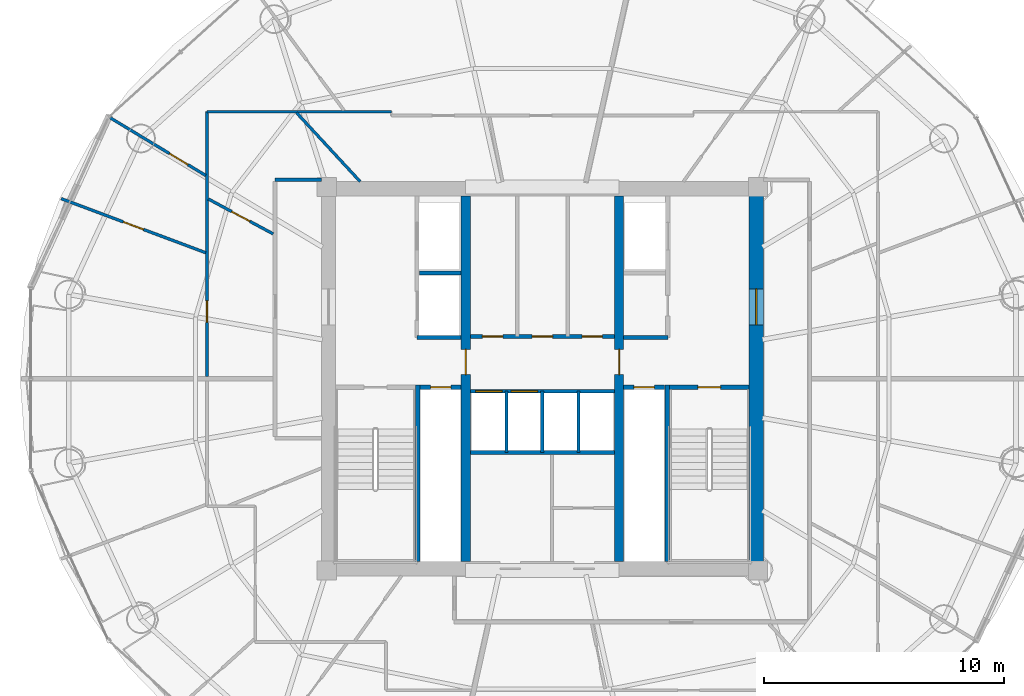
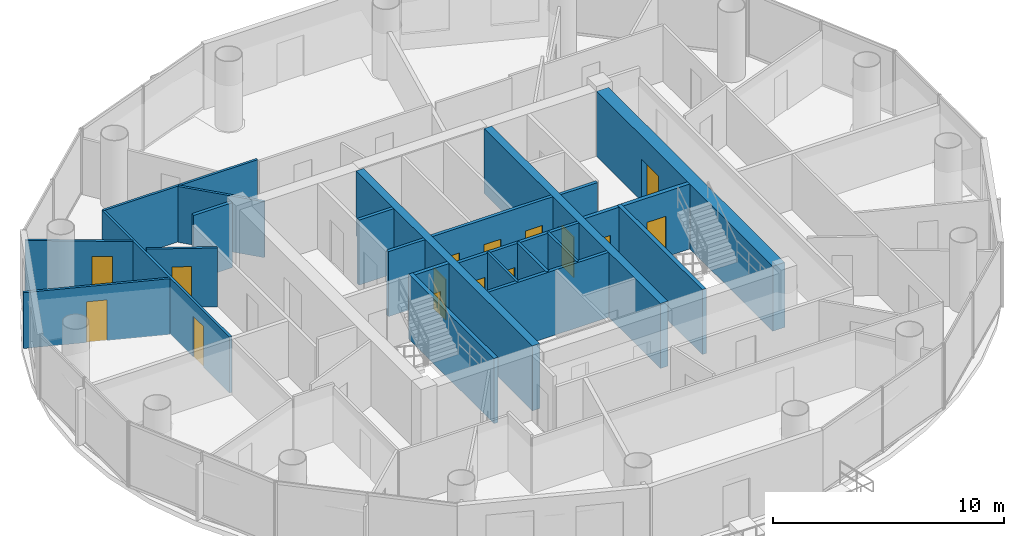
# One storey, part 21 of 26: 24 walls, 15 doors, 15 openings.
"""IFC4 building model written with IfcOpenShell, lengths in metres."""

from ifc_helpers import new_model, si_unit, direction, frame, frame_2d, origin, place, context, subcontext, project, spatial, rectangle, extrude, source, transform, mapped, material, layer, layer_set, type_object, element, fill, save


model = new_model("IFC4")

# Units and contexts
model_context = context("Model", 3, precision=1e-05, world=origin(), true_north=direction((-0.2419218956, 0.970295726276)))
body_context = subcontext(model_context, "Body", "Model", "MODEL_VIEW")
ifc_project = project(units=[si_unit("LENGTHUNIT", "METRE"), si_unit("AREAUNIT", "SQUARE_METRE"), si_unit("VOLUMEUNIT", "CUBIC_METRE"), si_unit("PLANEANGLEUNIT", "RADIAN"), si_unit("MASSUNIT", "GRAM", prefix="KILO")], contexts=[model_context])

# Site, building, storey
site_placement = place(None, origin())
site = spatial("IfcSite", under=ifc_project, at=site_placement, CompositionType="ELEMENT")
building_placement = place(site_placement, origin())
building = spatial("IfcBuilding", under=site, at=building_placement, Name="Cobrevalo Terracotta Tower", CompositionType="ELEMENT")
storey_placement = place(building_placement, frame((0.0, 0.0, 213.39990234375)))
storey = spatial("IfcBuildingStorey", under=building, at=storey_placement, Name="L56", CompositionType="ELEMENT", Elevation=213.39990234375)

# Wall, opening, door
ifc_material_1 = material(Name="Concrete C55", Category="concrete")
ifc_layer_1 = layer(ifc_material_1, 0.60009765625)
ifc_layer_set_1 = layer_set([ifc_layer_1], Name="Concrete C55")
wall_type_1 = type_object("IfcWallType", Name="Core shear wall 600 mm Concrete C55", PredefinedType="SHEAR", material=ifc_layer_set_1)
wall_1_placement = place(storey_placement, frame((46.925048828125, 19.175048828125, 0.0), z_axis=(0.0, 0.0, 1.0), x_axis=(0.0, 1.0, 0.0)))
wall_1 = element("IfcWall", 1, at=wall_1_placement, inside=storey, type_object=wall_type_1, Name="L56 east core shear wall", PredefinedType="SHEAR", context=body_context, shape_type="SweptSolid", body=[
    extrude(rectangle(XDim=15.25, YDim=0.60009765625, at=frame_2d((7.625, 0.0))), origin(), (0.0, 0.0, 1.0), 3.43505859375),
])
opening_1_placement = place(wall_1_placement, frame((9.875, 0.0, 0.0)))
opening_1 = element("IfcOpeningElement", 2, at=opening_1_placement, cuts=wall_1, Name="Opening ID-14", PredefinedType="OPENING", context=body_context, shape_type="SweptSolid", body=[
    extrude(rectangle(XDim=1.5, YDim=2.199951171875, at=frame_2d((0.75, 1.10009765625))), frame((0.0, 0.31005859375, 0.0), z_axis=(0.0, -1.0, 0.0), x_axis=(1.0, 0.0, 0.0)), (0.0, 0.0, 1.0), 0.6201171875),
])
ifc_material_2 = material(Name="Galvanized fire-rated steel", Category="steel")
door_type_1 = type_object("IfcDoorType", Name="Core cross-lobby double fire door 1500x2200 EI 90", OperationType="NOTDEFINED", PredefinedType="DOOR", material=ifc_material_2)
shared_shape_1 = source(origin(), body_context, "Body", "SweptSolid", [
    extrude(rectangle(XDim=1.5, YDim=2.199951171875, at=frame_2d((0.75, 1.10009765625))), frame((0.0, 0.02490234375, 0.0), z_axis=(0.0, -1.0, 0.0), x_axis=(1.0, 0.0, 0.0)), (0.0, 0.0, 1.0), 0.050048828125),
])
door_1_placement = place(opening_1_placement, frame((1.5, 0.0, 0.0), z_axis=(0.0, 0.0, 1.0), x_axis=(-1.0, 0.0, 0.0)))
door_1 = element("IfcDoor", 3, at=door_1_placement, inside=storey, type_object=door_type_1, Name="L56 east firefighting lobby entrance door", OperationType="DOUBLE_DOOR_SINGLE_SWING", OverallHeight=2.199951171875, OverallWidth=1.5, PredefinedType="DOOR", context=body_context, shape_type="MappedRepresentation", body=[
    mapped(shared_shape_1, transform((0.0, 0.0, 0.0), scale=1.0)),
])
fill(opening_1, door_1)

# Walls
ifc_material_3 = material(Name="Gypsum board on steel stud", Category="steel")
ifc_layer_2 = layer(ifc_material_3, 0.159912109375)
ifc_layer_set_2 = layer_set([ifc_layer_2], Name="Gypsum board on steel stud")
wall_type_2 = type_object("IfcWallType", Name="Fire-rated corridor acoustic partition wall 160 mm", PredefinedType="PARTITIONING", material=ifc_layer_set_2)
wall_2_placement = place(storey_placement, frame((32.860107421875, 31.219970703125, 0.0), z_axis=(0.0, 0.0, 1.0), x_axis=(1.0, 0.0, 0.0)))
element("IfcWall", 4, at=wall_2_placement, inside=storey, type_object=wall_type_2, Name="L56 interior partition IW-L56-FF1-M", PredefinedType="PARTITIONING", context=body_context, shape_type="SweptSolid", body=[
    extrude(rectangle(XDim=1.75, YDim=0.159912109375, at=frame_2d((0.875, 0.0))), origin(), (0.0, 0.0, 1.0), 3.43505859375),
])
for number, where, z_axis, x_axis, name in (
    (5, (32.77001953125, 28.52001953125, 0.0), (0.0, 0.0, 1.0), (1.0, 0.0, 0.0), "L56 interior partition IW-L56-FF1-S"),
    (6, (41.389892578125, 28.52001953125, 0.0), (0.0, 0.0, 1.0), (1.0, 0.0, 0.0), "L56 interior partition IW-L56-FF2-S"),
):
    element("IfcWall", number, at=place(storey_placement, frame(where, z_axis=z_axis, x_axis=x_axis)), inside=storey, type_object=wall_type_2, Name=name, PredefinedType="PARTITIONING", context=body_context, shape_type="SweptSolid", body=[
        extrude(rectangle(XDim=1.840087890625, YDim=0.159912109375, at=frame_2d((0.919921875, 0.0))), origin(), (0.0, 0.0, 1.0), 3.43505859375),
    ])

# Wall, openings, doors
wall_3_placement = place(storey_placement, frame((34.989990234375, 28.56005859375, 0.0), z_axis=(0.0, 0.0, 1.0), x_axis=(1.0, 0.0, 0.0)))
wall_3 = element("IfcWall", 7, at=wall_3_placement, inside=storey, type_object=wall_type_2, Name="L56 interior partition IW-L56-LB-S", PredefinedType="PARTITIONING", context=body_context, shape_type="SweptSolid", body=[
    extrude(rectangle(XDim=6.02001953125, YDim=0.159912109375, at=frame_2d((3.010009765625, 0.0))), origin(), (0.0, 0.0, 1.0), 3.43505859375),
])
opening_2_placement = place(wall_3_placement, frame((0.5048828125, 0.0, 0.0)))
opening_2 = element("IfcOpeningElement", 8, at=opening_2_placement, cuts=wall_3, Name="Opening ID-22", PredefinedType="OPENING", context=body_context, shape_type="SweptSolid", body=[
    extrude(rectangle(XDim=0.85009765625, YDim=2.10009765625, at=frame_2d((0.425048828125, 1.050048828125))), frame((0.0, 0.08984375, 0.0), z_axis=(0.0, -1.0, 0.0), x_axis=(1.0, 0.0, 0.0)), (0.0, 0.0, 1.0), 0.179931640625),
])
opening_3_placement = place(wall_3_placement, frame((2.580078125, 0.0, 0.0)))
opening_3 = element("IfcOpeningElement", 9, at=opening_3_placement, cuts=wall_3, Name="Opening ID-07", PredefinedType="OPENING", context=body_context, shape_type="SweptSolid", body=[
    extrude(rectangle(XDim=0.860107421875, YDim=2.10009765625, at=frame_2d((0.43017578125, 1.050048828125))), frame((0.0, 0.08984375, 0.0), z_axis=(0.0, -1.0, 0.0), x_axis=(1.0, 0.0, 0.0)), (0.0, 0.0, 1.0), 0.179931640625),
])
opening_4_placement = place(wall_3_placement, frame((4.6650390625, 0.0, 0.0)))
opening_4 = element("IfcOpeningElement", 10, at=opening_4_placement, cuts=wall_3, Name="Opening ID-22", PredefinedType="OPENING", context=body_context, shape_type="SweptSolid", body=[
    extrude(rectangle(XDim=0.85009765625, YDim=2.10009765625, at=frame_2d((0.425048828125, 1.050048828125))), frame((0.0, 0.08984375, 0.0), z_axis=(0.0, -1.0, 0.0), x_axis=(1.0, 0.0, 0.0)), (0.0, 0.0, 1.0), 0.179931640625),
])
ifc_material_4 = material(Name="Powder-coated steel", Category="steel")
door_type_2 = type_object("IfcDoorType", Name="Riser shaft & meter closet fire access door 850x2100 EI 60", OperationType="NOTDEFINED", PredefinedType="DOOR", material=ifc_material_4)
shared_shape_2 = source(origin(), body_context, "Body", "SweptSolid", [
    extrude(rectangle(XDim=0.85009765625, YDim=2.10009765625, at=frame_2d((0.425048828125, 1.050048828125))), frame((0.0, 0.02490234375, 0.0), z_axis=(0.0, -1.0, 0.0), x_axis=(1.0, 0.0, 0.0)), (0.0, 0.0, 1.0), 0.050048828125),
])
door_2_placement = place(opening_2_placement, origin())
door_2 = element("IfcDoor", 11, at=door_2_placement, inside=storey, type_object=door_type_2, Name="L56 core service door Housekeeping Linen Store", OperationType="SINGLE_SWING_LEFT", OverallHeight=2.10009765625, OverallWidth=0.85009765625, PredefinedType="DOOR", context=body_context, shape_type="MappedRepresentation", body=[
    mapped(shared_shape_2, transform((0.0, 0.0, 0.0), scale=1.0)),
])
fill(opening_2, door_2)
door_3_placement = place(opening_4_placement, origin())
door_3 = element("IfcDoor", 12, at=door_3_placement, inside=storey, type_object=door_type_2, Name="L56 core service door Floor BMS Mechanical Plant", OperationType="SINGLE_SWING_LEFT", OverallHeight=2.10009765625, OverallWidth=0.85009765625, PredefinedType="DOOR", context=body_context, shape_type="MappedRepresentation", body=[
    mapped(shared_shape_2, transform((0.0, 0.0, 0.0), scale=1.0)),
])
fill(opening_4, door_3)
ifc_material_5 = material(Name="Fire-rated moisture-sealed timber", Category="wood")
door_type_3 = type_object("IfcDoorType", Name="Core & podium fire-rated accessible WC door 860x2100 EI 60", OperationType="NOTDEFINED", PredefinedType="DOOR", material=ifc_material_5)
shared_shape_3 = source(origin(), body_context, "Body", "SweptSolid", [
    extrude(rectangle(XDim=0.860107421875, YDim=2.10009765625, at=frame_2d((0.43017578125, 1.050048828125))), frame((0.0, 0.02490234375, 0.0), z_axis=(0.0, -1.0, 0.0), x_axis=(1.0, 0.0, 0.0)), (0.0, 0.0, 1.0), 0.050048828125),
])
door_4_placement = place(opening_3_placement, origin())
door_4 = element("IfcDoor", 13, at=door_4_placement, inside=storey, type_object=door_type_3, Name="L56 core service door Floor Service Toilet WC", OperationType="SINGLE_SWING_RIGHT", OverallHeight=2.10009765625, OverallWidth=0.860107421875, PredefinedType="DOOR", context=body_context, shape_type="MappedRepresentation", body=[
    mapped(shared_shape_3, transform((0.0, 0.0, 0.0), scale=1.0)),
])
fill(opening_3, door_4)

wall_4_placement = place(storey_placement, frame((34.989990234375, 26.280029296875, 0.0), z_axis=(0.0, 0.0, 1.0), x_axis=(1.0, 0.0, 0.0)))
wall_4 = element("IfcWall", 14, at=wall_4_placement, inside=storey, type_object=wall_type_2, Name="L56 interior partition IW-L56-MB-N", PredefinedType="PARTITIONING", context=body_context, shape_type="SweptSolid", body=[
    extrude(rectangle(XDim=6.02001953125, YDim=0.159912109375, at=frame_2d((3.010009765625, 0.0))), origin(), (0.0, 0.0, 1.0), 3.43505859375),
])
opening_5_placement = place(wall_4_placement, frame((0.22509765625, 0.0, 0.0)))
opening_5 = element("IfcOpeningElement", 15, at=opening_5_placement, cuts=wall_4, Name="Opening LD-01", PredefinedType="OPENING", context=body_context, shape_type="SweptSolid", body=[
    extrude(rectangle(XDim=1.10009765625, YDim=2.199951171875, at=frame_2d((0.550048828125, 1.10009765625))), frame((0.0, 0.08984375, 0.0), z_axis=(0.0, -1.0, 0.0), x_axis=(1.0, 0.0, 0.0)), (0.0, 0.0, 1.0), 0.179931640625),
])
opening_6_placement = place(wall_4_placement, frame((1.705078125, 0.0, 0.0)))
opening_6 = element("IfcOpeningElement", 16, at=opening_6_placement, cuts=wall_4, Name="Opening LD-01", PredefinedType="OPENING", context=body_context, shape_type="SweptSolid", body=[
    extrude(rectangle(XDim=1.10009765625, YDim=2.199951171875, at=frame_2d((0.550048828125, 1.10009765625))), frame((0.0, 0.08984375, 0.0), z_axis=(0.0, -1.0, 0.0), x_axis=(1.0, 0.0, 0.0)), (0.0, 0.0, 1.0), 0.179931640625),
])
ifc_material_6 = material(Name="Brushed stainless steel", Category="steel")
door_type_4 = type_object("IfcDoorType", Name="Passenger lift landing bi-parting sliding door 1100x2200 EI 90", OperationType="DOUBLE_DOOR_SLIDING", PredefinedType="DOOR", material=ifc_material_6)
shared_shape_4 = source(origin(), body_context, "Body", "SweptSolid", [
    extrude(rectangle(XDim=1.10009765625, YDim=2.199951171875, at=frame_2d((0.550048828125, 1.10009765625))), frame((0.0, 0.02490234375, 0.0), z_axis=(0.0, -1.0, 0.0), x_axis=(1.0, 0.0, 0.0)), (0.0, 0.0, 1.0), 0.050048828125),
])
door_5_placement = place(opening_5_placement, origin())
door_5 = element("IfcDoor", 17, at=door_5_placement, inside=storey, type_object=door_type_4, Name="L56 lift landing door PL-M1", OperationType="DOUBLE_DOOR_SLIDING", OverallHeight=2.199951171875, OverallWidth=1.10009765625, PredefinedType="DOOR", context=body_context, shape_type="MappedRepresentation", body=[
    mapped(shared_shape_4, transform((0.0, 0.0, 0.0), scale=1.0)),
])
fill(opening_5, door_5)
door_6_placement = place(opening_6_placement, origin())
door_6 = element("IfcDoor", 18, at=door_6_placement, inside=storey, type_object=door_type_4, Name="L56 lift landing door PL-M2", OperationType="DOUBLE_DOOR_SLIDING", OverallHeight=2.199951171875, OverallWidth=1.10009765625, PredefinedType="DOOR", context=body_context, shape_type="MappedRepresentation", body=[
    mapped(shared_shape_4, transform((0.0, 0.0, 0.0), scale=1.0)),
])
fill(opening_6, door_6)

# Walls
wall_5_placement = place(storey_placement, frame((34.989990234375, 23.719970703125, 0.0), z_axis=(0.0, 0.0, 1.0), x_axis=(1.0, 0.0, 0.0)))
element("IfcWall", 19, at=wall_5_placement, inside=storey, type_object=wall_type_2, Name="L56 interior partition IW-L56-MB-S", PredefinedType="PARTITIONING", context=body_context, shape_type="SweptSolid", body=[
    extrude(rectangle(XDim=6.02001953125, YDim=0.159912109375, at=frame_2d((3.010009765625, 0.0))), origin(), (0.0, 0.0, 1.0), 3.43505859375),
])
wall_6_placement = place(storey_placement, frame((26.844970703125, 35.10498046875, 0.0), z_axis=(0.0, 0.0, 1.0), x_axis=(1.0, 0.0, 0.0)))
element("IfcWall", 20, at=wall_6_placement, inside=storey, type_object=wall_type_2, Name="L56 interior partition IW-L56-COR-WN-CAP", PredefinedType="PARTITIONING", context=body_context, shape_type="SweptSolid", body=[
    extrude(rectangle(XDim=1.929931640625, YDim=0.159912109375, at=frame_2d((0.96484375, 0.0))), origin(), (0.0, 0.0, 1.0), 3.43505859375),
])

# Wall, opening, door
ifc_layer_3 = layer(ifc_material_3, 0.179931640625)
ifc_layer_set_3 = layer_set([ifc_layer_3], Name="Gypsum board on steel stud")
wall_type_3 = type_object("IfcWallType", Name="Fire-rated shaft & lobby acoustic partition wall 180 mm", PredefinedType="PARTITIONING", material=ifc_layer_set_3)
wall_7_placement = place(storey_placement, frame((32.89990234375, 26.449951171875, 0.0), z_axis=(0.0, 0.0, 1.0), x_axis=(1.0, 0.0, 0.0)))
wall_7 = element("IfcWall", 21, at=wall_7_placement, inside=storey, type_object=wall_type_3, Name="L56 interior partition IW-L56-RSW-N", PredefinedType="PARTITIONING", context=body_context, shape_type="SweptSolid", body=[
    extrude(rectangle(XDim=1.710205078125, YDim=0.179931640625, at=frame_2d((0.85498046875, 0.0))), origin(), (0.0, 0.0, 1.0), 3.43505859375),
])
opening_7_placement = place(wall_7_placement, frame((0.429931640625, 0.0, 0.0)))
opening_7 = element("IfcOpeningElement", 22, at=opening_7_placement, cuts=wall_7, Name="Opening ID-22", PredefinedType="OPENING", context=body_context, shape_type="SweptSolid", body=[
    extrude(rectangle(XDim=0.85009765625, YDim=2.10009765625, at=frame_2d((0.425048828125, 1.050048828125))), frame((0.0, 0.10009765625, 0.0), z_axis=(0.0, -1.0, 0.0), x_axis=(1.0, 0.0, 0.0)), (0.0, 0.0, 1.0), 0.199951171875),
])
door_7_placement = place(opening_7_placement, origin())
door_7 = element("IfcDoor", 23, at=door_7_placement, inside=storey, type_object=door_type_2, Name="L56 riser access door RSW", OperationType="SINGLE_SWING_LEFT", OverallHeight=2.10009765625, OverallWidth=0.85009765625, PredefinedType="DOOR", context=body_context, shape_type="MappedRepresentation", body=[
    mapped(shared_shape_2, transform((0.0, 0.0, 0.0), scale=1.0)),
])
fill(opening_7, door_7)

wall_8_placement = place(storey_placement, frame((41.389892578125, 26.449951171875, 0.0), z_axis=(0.0, 0.0, 1.0), x_axis=(1.0, 0.0, 0.0)))
wall_8 = element("IfcWall", 24, at=wall_8_placement, inside=storey, type_object=wall_type_3, Name="L56 interior partition IW-L56-RSE-N", PredefinedType="PARTITIONING", context=body_context, shape_type="SweptSolid", body=[
    extrude(rectangle(XDim=1.710205078125, YDim=0.179931640625, at=frame_2d((0.85498046875, 0.0))), origin(), (0.0, 0.0, 1.0), 3.43505859375),
])
opening_8_placement = place(wall_8_placement, frame((0.429931640625, 0.0, 0.0)))
opening_8 = element("IfcOpeningElement", 25, at=opening_8_placement, cuts=wall_8, Name="Opening ID-22", PredefinedType="OPENING", context=body_context, shape_type="SweptSolid", body=[
    extrude(rectangle(XDim=0.85009765625, YDim=2.10009765625, at=frame_2d((0.425048828125, 1.050048828125))), frame((0.0, 0.10009765625, 0.0), z_axis=(0.0, -1.0, 0.0), x_axis=(1.0, 0.0, 0.0)), (0.0, 0.0, 1.0), 0.199951171875),
])
door_8_placement = place(opening_8_placement, origin())
door_8 = element("IfcDoor", 26, at=door_8_placement, inside=storey, type_object=door_type_2, Name="L56 riser access door RSE", OperationType="SINGLE_SWING_RIGHT", OverallHeight=2.10009765625, OverallWidth=0.85009765625, PredefinedType="DOOR", context=body_context, shape_type="MappedRepresentation", body=[
    mapped(shared_shape_2, transform((0.0, 0.0, 0.0), scale=1.0)),
])
fill(opening_8, door_8)

# Walls
ifc_material_7 = material(Name="Autoclaved aerated concrete block", Category="concrete")
ifc_layer_4 = layer(ifc_material_7, 0.1201171875)
ifc_layer_set_4 = layer_set([ifc_layer_4], Name="Autoclaved aerated concrete block")
wall_type_4 = type_object("IfcWallType", Name="Fire-rated wet-room & core service partition 120 mm", PredefinedType="PARTITIONING", material=ifc_layer_set_4)
for number, where, z_axis, x_axis, name in (
    (27, (36.5, 23.719970703125, 0.0), (0.0, 0.0, 1.0), (0.0, 1.0, 0.0), "L56 interior partition IW-L56-MB-D1"),
    (28, (39.5, 23.719970703125, 0.0), (0.0, 0.0, 1.0), (0.0, 1.0, 0.0), "L56 interior partition IW-L56-MB-D3"),
):
    element("IfcWall", number, at=place(storey_placement, frame(where, z_axis=z_axis, x_axis=x_axis)), inside=storey, type_object=wall_type_4, Name=name, PredefinedType="PARTITIONING", context=body_context, shape_type="SweptSolid", body=[
        extrude(rectangle(XDim=2.56005859375, YDim=0.1201171875, at=frame_2d((1.280029296875, 0.0))), origin(), (0.0, 0.0, 1.0), 3.43505859375),
    ])

# Wall, opening, door
ifc_material_8 = material(Name="Concrete C50", Category="concrete")
ifc_layer_5 = layer(ifc_material_8, 0.3798828125)
ifc_layer_set_5 = layer_set([ifc_layer_5], Name="Concrete C50")
wall_type_5 = type_object("IfcWallType", Name="Internal core shear web wall 380 mm Concrete C50", PredefinedType="SHEAR", material=ifc_layer_set_5)
wall_9_placement = place(storey_placement, frame((34.800048828125, 19.175048828125, 0.0), z_axis=(0.0, 0.0, 1.0), x_axis=(0.0, 1.0, 0.0)))
wall_9 = element("IfcWall", 29, at=wall_9_placement, inside=storey, type_object=wall_type_5, Name="L56 internal core shear wall WEB-W", PredefinedType="SHEAR", context=body_context, shape_type="SweptSolid", body=[
    extrude(rectangle(XDim=15.25, YDim=0.3798828125, at=frame_2d((7.625, 0.0))), origin(), (0.0, 0.0, 1.0), 3.43505859375),
])
opening_9_placement = place(wall_9_placement, frame((7.800048828125, 0.0, 0.0)))
opening_9 = element("IfcOpeningElement", 30, at=opening_9_placement, cuts=wall_9, Name="Opening ID-11", PredefinedType="OPENING", context=body_context, shape_type="SweptSolid", body=[
    extrude(rectangle(XDim=1.050048828125, YDim=2.14990234375, at=frame_2d((0.52490234375, 1.074951171875))), frame((0.0, 0.199951171875, 0.0), z_axis=(0.0, -1.0, 0.0), x_axis=(1.0, 0.0, 0.0)), (0.0, 0.0, 1.0), 0.39990234375),
])
door_type_5 = type_object("IfcDoorType", Name="Core concourse cross fire door 1050x2150 EI 90", OperationType="NOTDEFINED", PredefinedType="DOOR", material=ifc_material_2)
shared_shape_5 = source(origin(), body_context, "Body", "SweptSolid", [
    extrude(rectangle(XDim=1.050048828125, YDim=2.14990234375, at=frame_2d((0.52490234375, 1.074951171875))), frame((0.0, 0.02490234375, 0.0), z_axis=(0.0, -1.0, 0.0), x_axis=(1.0, 0.0, 0.0)), (0.0, 0.0, 1.0), 0.050048828125),
])
door_9_placement = place(opening_9_placement, origin())
door_9 = element("IfcDoor", 31, at=door_9_placement, inside=storey, type_object=door_type_5, Name="L56 west core concourse cross door", OperationType="SINGLE_SWING_LEFT", OverallHeight=2.14990234375, OverallWidth=1.050048828125, PredefinedType="DOOR", context=body_context, shape_type="MappedRepresentation", body=[
    mapped(shared_shape_5, transform((0.0, 0.0, 0.0), scale=1.0)),
])
fill(opening_9, door_9)

wall_10_placement = place(storey_placement, frame((41.199951171875, 19.175048828125, 0.0), z_axis=(0.0, 0.0, 1.0), x_axis=(0.0, 1.0, 0.0)))
wall_10 = element("IfcWall", 32, at=wall_10_placement, inside=storey, type_object=wall_type_5, Name="L56 internal core shear wall WEB-E", PredefinedType="SHEAR", context=body_context, shape_type="SweptSolid", body=[
    extrude(rectangle(XDim=15.25, YDim=0.3798828125, at=frame_2d((7.625, 0.0))), origin(), (0.0, 0.0, 1.0), 3.43505859375),
])
opening_10_placement = place(wall_10_placement, frame((7.800048828125, 0.0, 0.0)))
opening_10 = element("IfcOpeningElement", 33, at=opening_10_placement, cuts=wall_10, Name="Opening ID-11", PredefinedType="OPENING", context=body_context, shape_type="SweptSolid", body=[
    extrude(rectangle(XDim=1.050048828125, YDim=2.14990234375, at=frame_2d((0.52490234375, 1.074951171875))), frame((0.0, 0.199951171875, 0.0), z_axis=(0.0, -1.0, 0.0), x_axis=(1.0, 0.0, 0.0)), (0.0, 0.0, 1.0), 0.39990234375),
])
door_10_placement = place(opening_10_placement, frame((1.050048828125, 0.0, 0.0), z_axis=(0.0, 0.0, 1.0), x_axis=(-1.0, 0.0, 0.0)))
door_10 = element("IfcDoor", 34, at=door_10_placement, inside=storey, type_object=door_type_5, Name="L56 east core concourse cross door", OperationType="SINGLE_SWING_RIGHT", OverallHeight=2.14990234375, OverallWidth=1.050048828125, PredefinedType="DOOR", context=body_context, shape_type="MappedRepresentation", body=[
    mapped(shared_shape_5, transform((0.0, 0.0, 0.0), scale=1.0)),
])
fill(opening_10, door_10)

# Wall
ifc_layer_6 = layer(ifc_material_7, 0.139892578125)
ifc_layer_set_6 = layer_set([ifc_layer_6], Name="Autoclaved aerated concrete block")
wall_type_6 = type_object("IfcWallType", Name="Moisture-resistant wet-room & core service partition 140 mm", PredefinedType="PARTITIONING", material=ifc_layer_set_6)
wall_11_placement = place(storey_placement, frame((38.0, 23.719970703125, 0.0), z_axis=(0.0, 0.0, 1.0), x_axis=(0.0, 1.0, 0.0)))
element("IfcWall", 35, at=wall_11_placement, inside=storey, type_object=wall_type_6, Name="L56 interior partition IW-L56-MB-D2", PredefinedType="PARTITIONING", context=body_context, shape_type="SweptSolid", body=[
    extrude(rectangle(XDim=2.56005859375, YDim=0.139892578125, at=frame_2d((1.280029296875, 0.0))), origin(), (0.0, 0.0, 1.0), 3.43505859375),
])

# Wall, opening, door
ifc_layer_7 = layer(ifc_material_3, 0.1201171875)
ifc_layer_set_7 = layer_set([ifc_layer_7], Name="Gypsum board on steel stud")
wall_type_7 = type_object("IfcWallType", Name="Residential internal acoustic stud partition 120 mm", PredefinedType="PARTITIONING", material=ifc_layer_set_7)
wall_12_placement = place(storey_placement, frame((24.0048828125, 26.902099609375, 0.0), z_axis=(0.0, 0.0, 1.0), x_axis=(0.0, 1.0, 0.0)))
wall_12 = element("IfcWall", 36, at=wall_12_placement, inside=storey, type_object=wall_type_7, Name="L56 interior partition IW-L56-U2-RING0_0", PredefinedType="PARTITIONING", context=body_context, shape_type="SweptSolid", body=[
    extrude(rectangle(XDim=11.04296875, YDim=0.1201171875, at=frame_2d((5.521484375, 0.0))), origin(), (0.0, 0.0, 1.0), 2.951171875),
])
opening_11_placement = place(wall_12_placement, frame((2.246337890625, 0.0, 0.0)))
opening_11 = element("IfcOpeningElement", 37, at=opening_11_placement, cuts=wall_12, Name="Opening ID-12", PredefinedType="OPENING", context=body_context, shape_type="SweptSolid", body=[
    extrude(rectangle(XDim=0.89990234375, YDim=2.14990234375, at=frame_2d((0.449951171875, 1.074951171875))), frame((0.0, 0.070068359375, 0.0), z_axis=(0.0, -1.0, 0.0), x_axis=(1.0, 0.0, 0.0)), (0.0, 0.0, 1.0), 0.14013671875),
])
ifc_material_9 = material(Name="Engineered timber", Category="wood")
door_type_6 = type_object("IfcDoorType", Name="Internal residence & suite timber door 900x2150", OperationType="NOTDEFINED", PredefinedType="DOOR", material=ifc_material_9)
shared_shape_6 = source(origin(), body_context, "Body", "SweptSolid", [
    extrude(rectangle(XDim=0.89990234375, YDim=2.14990234375, at=frame_2d((0.449951171875, 1.074951171875))), frame((0.0, 0.02490234375, 0.0), z_axis=(0.0, -1.0, 0.0), x_axis=(1.0, 0.0, 0.0)), (0.0, 0.0, 1.0), 0.050048828125),
])
door_11_placement = place(opening_11_placement, origin())
door_11 = element("IfcDoor", 38, at=door_11_placement, inside=storey, type_object=door_type_6, Name="Flat L56B Penthouse Family Lounge internal door", OperationType="SINGLE_SWING_LEFT", OverallHeight=2.14990234375, OverallWidth=0.89990234375, PredefinedType="DOOR", context=body_context, shape_type="MappedRepresentation", body=[
    mapped(shared_shape_6, transform((0.0, 0.0, 0.0), scale=1.0)),
])
fill(opening_11, door_11)

# Wall
wall_13_placement = place(storey_placement, frame((24.0048828125, 37.945068359375, 0.0), z_axis=(0.0, 0.0, 1.0), x_axis=(1.0, 0.0, 0.0)))
element("IfcWall", 39, at=wall_13_placement, inside=storey, type_object=wall_type_7, Name="L56 interior partition IW-L56-U2-RING1_0", PredefinedType="PARTITIONING", context=body_context, shape_type="SweptSolid", body=[
    extrude(rectangle(XDim=7.690185546875, YDim=0.1201171875, at=frame_2d((3.84521484375, 0.0))), origin(), (0.0, 0.0, 1.0), 2.951171875),
])

# Wall, opening, door
wall_14_placement = place(storey_placement, frame((23.951904296875, 35.282470703125, 0.0), z_axis=(0.0, 0.0, 1.0), x_axis=(-0.856051317976, 0.516890840499, 0.0)))
wall_14 = element("IfcWall", 40, at=wall_14_placement, inside=storey, type_object=wall_type_7, Name="L56 interior partition IW-L56-U2-ORAD2", PredefinedType="PARTITIONING", context=body_context, shape_type="SweptSolid", body=[
    extrude(rectangle(XDim=4.657958984375, YDim=0.1201171875, at=frame_2d((2.3291015625, 0.0))), origin(), (0.0, 0.0, 1.0), 2.951171875),
])
opening_12_placement = place(wall_14_placement, frame((0.8720703125, 0.0, 0.0)))
opening_12 = element("IfcOpeningElement", 41, at=opening_12_placement, cuts=wall_14, Name="Opening ID-12", PredefinedType="OPENING", context=body_context, shape_type="SweptSolid", body=[
    extrude(rectangle(XDim=0.89990234375, YDim=2.14990234375, at=frame_2d((0.449951171875, 1.074951171875))), frame((0.0, 0.070068359375, 0.0), z_axis=(0.0, -1.0, 0.0), x_axis=(1.0, 0.0, 0.0)), (0.0, 0.0, 1.0), 0.14013671875),
])
door_12_placement = place(opening_12_placement, frame((0.89990234375, 0.0, 0.0), z_axis=(0.0, 0.0, 1.0), x_axis=(-1.0, 0.0, 0.0)))
door_12 = element("IfcDoor", 42, at=door_12_placement, inside=storey, type_object=door_type_6, Name="Flat L56B Master Bedroom internal door", OperationType="SINGLE_SWING_LEFT", OverallHeight=2.14990234375, OverallWidth=0.89990234375, PredefinedType="DOOR", context=body_context, shape_type="MappedRepresentation", body=[
    mapped(shared_shape_6, transform((0.0, 0.0, 0.0), scale=1.0)),
])
fill(opening_12, door_12)

wall_15_placement = place(storey_placement, frame((23.947021484375, 32.060302734375, 0.0), z_axis=(0.0, 0.0, 1.0), x_axis=(-0.936547148815, 0.350541635255, 0.0)))
wall_15 = element("IfcWall", 43, at=wall_15_placement, inside=storey, type_object=wall_type_7, Name="L56 interior partition IW-L56-U2-ORAD3M1", PredefinedType="PARTITIONING", context=body_context, shape_type="SweptSolid", body=[
    extrude(rectangle(XDim=6.438720703125, YDim=0.1201171875, at=frame_2d((3.21923828125, 0.0))), origin(), (0.0, 0.0, 1.0), 2.951171875),
])
opening_13_placement = place(wall_15_placement, frame((2.769287109375, 0.0, 0.0)))
opening_13 = element("IfcOpeningElement", 44, at=opening_13_placement, cuts=wall_15, Name="Opening ID-12", PredefinedType="OPENING", context=body_context, shape_type="SweptSolid", body=[
    extrude(rectangle(XDim=0.89990234375, YDim=2.14990234375, at=frame_2d((0.449951171875, 1.074951171875))), frame((0.0, 0.070068359375, 0.0), z_axis=(0.0, -1.0, 0.0), x_axis=(1.0, 0.0, 0.0)), (0.0, 0.0, 1.0), 0.14013671875),
])
door_13_placement = place(opening_13_placement, frame((0.89990234375, 0.0, 0.0), z_axis=(0.0, 0.0, 1.0), x_axis=(-1.0, 0.0, 0.0)))
door_13 = element("IfcDoor", 45, at=door_13_placement, inside=storey, type_object=door_type_6, Name="Flat L56B Principal Guest Bedroom internal door", OperationType="SINGLE_SWING_RIGHT", OverallHeight=2.14990234375, OverallWidth=0.89990234375, PredefinedType="DOOR", context=body_context, shape_type="MappedRepresentation", body=[
    mapped(shared_shape_6, transform((0.0, 0.0, 0.0), scale=1.0)),
])
fill(opening_13, door_13)

# Wall
wall_16_placement = place(storey_placement, frame((30.39599609375, 35.0263671875, 0.0), z_axis=(0.0, 0.0, 1.0), x_axis=(-0.678759446058, 0.734360684124, 0.0)))
element("IfcWall", 46, at=wall_16_placement, inside=storey, type_object=wall_type_7, Name="L56 interior partition IW-L56-U2-IRAD2", PredefinedType="PARTITIONING", context=body_context, shape_type="SweptSolid", body=[
    extrude(rectangle(XDim=3.912353515625, YDim=0.1201171875, at=frame_2d((1.9560546875, 0.0))), origin(), (0.0, 0.0, 1.0), 2.951171875),
])

# Wall, opening, door
wall_17_placement = place(storey_placement, frame((26.764892578125, 32.845458984375, 0.0), z_axis=(0.0, 0.0, 1.0), x_axis=(-0.88059355453, 0.473872336943, 0.0)))
wall_17 = element("IfcWall", 47, at=wall_17_placement, inside=storey, type_object=wall_type_7, Name="L56 interior partition IW-L56-U2-IRAD3", PredefinedType="PARTITIONING", context=body_context, shape_type="SweptSolid", body=[
    extrude(rectangle(XDim=3.072265625, YDim=0.1201171875, at=frame_2d((1.5361328125, 0.0))), origin(), (0.0, 0.0, 1.0), 3.110107421875),
])
opening_14_placement = place(wall_17_placement, frame((1.106201171875, 0.0, 0.0)))
opening_14 = element("IfcOpeningElement", 48, at=opening_14_placement, cuts=wall_17, Name="Opening ID-19", PredefinedType="OPENING", context=body_context, shape_type="SweptSolid", body=[
    extrude(rectangle(XDim=0.860107421875, YDim=2.14990234375, at=frame_2d((0.43017578125, 1.074951171875))), frame((0.0, 0.070068359375, 0.0), z_axis=(0.0, -1.0, 0.0), x_axis=(1.0, 0.0, 0.0)), (0.0, 0.0, 1.0), 0.14013671875),
])
ifc_material_10 = material(Name="Moisture-sealed timber", Category="wood")
door_type_7 = type_object("IfcDoorType", Name="Suite bathroom internal timber door 860x2150", OperationType="NOTDEFINED", PredefinedType="DOOR", material=ifc_material_10)
shared_shape_7 = source(origin(), body_context, "Body", "SweptSolid", [
    extrude(rectangle(XDim=0.860107421875, YDim=2.14990234375, at=frame_2d((0.43017578125, 1.074951171875))), frame((0.0, 0.02490234375, 0.0), z_axis=(0.0, -1.0, 0.0), x_axis=(1.0, 0.0, 0.0)), (0.0, 0.0, 1.0), 0.050048828125),
])
door_14_placement = place(opening_14_placement, frame((0.860107421875, 0.0, 0.0), z_axis=(0.0, 0.0, 1.0), x_axis=(-1.0, 0.0, 0.0)))
door_14 = element("IfcDoor", 49, at=door_14_placement, inside=storey, type_object=door_type_7, Name="Flat L56B Primary Bathroom internal door", OperationType="SINGLE_SWING_RIGHT", OverallHeight=2.14990234375, OverallWidth=0.860107421875, PredefinedType="DOOR", context=body_context, shape_type="MappedRepresentation", body=[
    mapped(shared_shape_7, transform((0.0, 0.0, 0.0), scale=1.0)),
])
fill(opening_14, door_14)

# Walls
ifc_layer_8 = layer(ifc_material_8, 0.199951171875)
ifc_layer_set_8 = layer_set([ifc_layer_8], Name="Concrete C50")
wall_type_8 = type_object("IfcWallType", Name="Structural core & podium stair-shaft RC wall 200 mm Concrete C50", PredefinedType="SOLIDWALL", material=ifc_layer_set_8)
for number, where, z_axis, x_axis, name in (
    (50, (32.794921875, 19.175048828125, 0.0), (0.0, 0.0, 1.0), (0.0, 1.0, 0.0), "L56 ST-1 east structural shaft wall"),
    (51, (43.205078125, 19.175048828125, 0.0), (0.0, 0.0, 1.0), (0.0, 1.0, 0.0), "L56 ST-2 west structural shaft wall"),
):
    element("IfcWall", number, at=place(storey_placement, frame(where, z_axis=z_axis, x_axis=x_axis)), inside=storey, type_object=wall_type_8, Name=name, PredefinedType="SOLIDWALL", context=body_context, shape_type="SweptSolid", body=[
        extrude(rectangle(XDim=7.375, YDim=0.199951171875, at=frame_2d((3.6875, 0.0))), origin(), (0.0, 0.0, 1.0), 3.43505859375),
    ])

# Wall, opening, door
wall_18_placement = place(storey_placement, frame((43.304931640625, 26.449951171875, 0.0), z_axis=(0.0, 0.0, 1.0), x_axis=(1.0, 0.0, 0.0)))
wall_18 = element("IfcWall", 52, at=wall_18_placement, inside=storey, type_object=wall_type_8, Name="L56 ST-2 north structural shaft wall", PredefinedType="SOLIDWALL", context=body_context, shape_type="SweptSolid", body=[
    extrude(rectangle(XDim=3.320068359375, YDim=0.199951171875, at=frame_2d((1.66015625, 0.0))), origin(), (0.0, 0.0, 1.0), 3.43505859375),
])
opening_15_placement = place(wall_18_placement, frame((1.18505859375, 0.0, 0.0)))
opening_15 = element("IfcOpeningElement", 53, at=opening_15_placement, cuts=wall_18, Name="Opening ID-04", PredefinedType="OPENING", context=body_context, shape_type="SweptSolid", body=[
    extrude(rectangle(XDim=0.949951171875, YDim=2.14990234375, at=frame_2d((0.47509765625, 1.074951171875))), frame((0.0, 0.10986328125, 0.0), z_axis=(0.0, -1.0, 0.0), x_axis=(1.0, 0.0, 0.0)), (0.0, 0.0, 1.0), 0.219970703125),
])
door_type_8 = type_object("IfcDoorType", Name="Stair & firefighting lobby fire door 950x2150 EI 90", OperationType="NOTDEFINED", PredefinedType="DOOR", material=ifc_material_2)
shared_shape_8 = source(origin(), body_context, "Body", "SweptSolid", [
    extrude(rectangle(XDim=0.949951171875, YDim=2.14990234375, at=frame_2d((0.47509765625, 1.074951171875))), frame((0.0, 0.02490234375, 0.0), z_axis=(0.0, -1.0, 0.0), x_axis=(1.0, 0.0, 0.0)), (0.0, 0.0, 1.0), 0.050048828125),
])
door_15_placement = place(opening_15_placement, frame((0.949951171875, 0.0, 0.0), z_axis=(0.0, 0.0, 1.0), x_axis=(-1.0, 0.0, 0.0)))
door_15 = element("IfcDoor", 54, at=door_15_placement, inside=storey, type_object=door_type_8, Name="L56 protected stair ST2 fire door", OperationType="SINGLE_SWING_RIGHT", OverallHeight=2.14990234375, OverallWidth=0.949951171875, PredefinedType="DOOR", context=body_context, shape_type="MappedRepresentation", body=[
    mapped(shared_shape_8, transform((0.0, 0.0, 0.0), scale=1.0)),
])
fill(opening_15, door_15)

save(model, "model.ifc")
